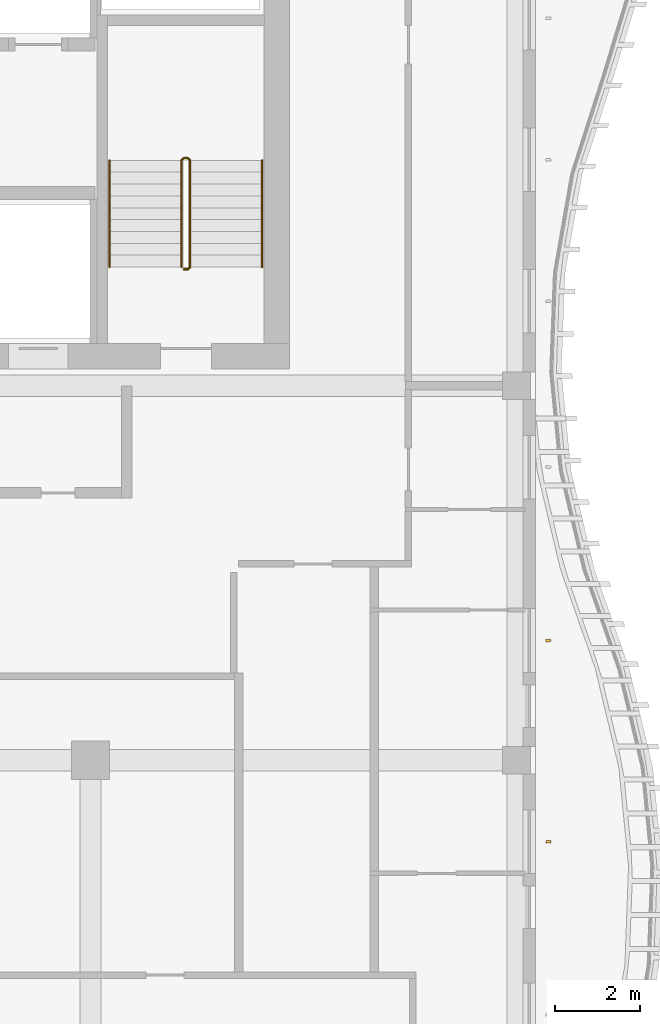
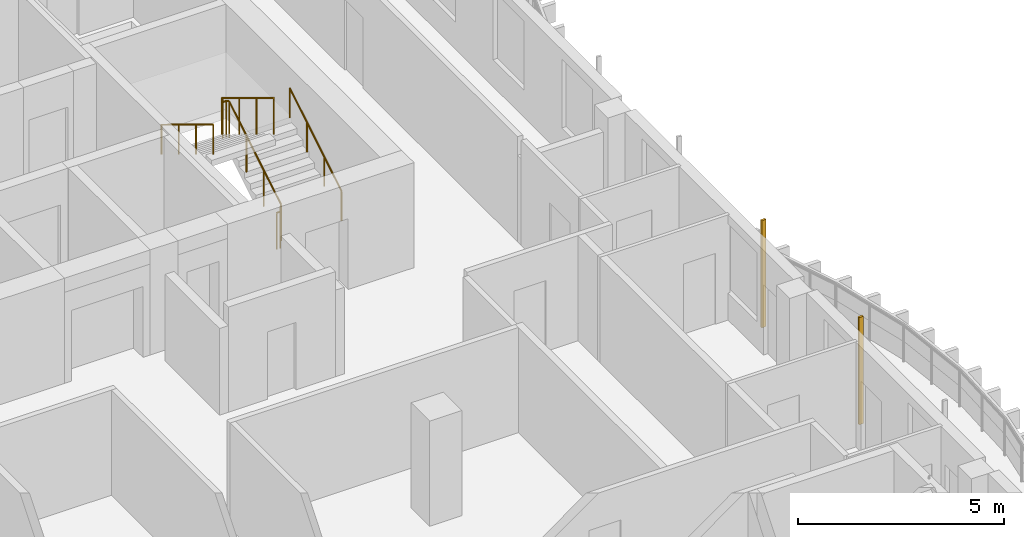
# One storey, part 16 of 18: 3 railings, 2 shading devices.
"""IFC4 building model written with IfcOpenShell, lengths in metres."""

from ifc_helpers import new_model, si_unit, direction, frame, origin, origin_2d, place, context, subcontext, project, spatial, rectangle, circle, extrude, source, transform, mapped, material, material_profile, profile_set, type_object, element, save


model = new_model("IFC4")

# Units and contexts
model_context = context("Model", 3, precision=1e-05, world=origin(), true_north=direction((0.0, 1.0)))
body_context = subcontext(model_context, "Body", "Model", "MODEL_VIEW")
ifc_project = project(units=[si_unit("LENGTHUNIT", "METRE"), si_unit("AREAUNIT", "SQUARE_METRE"), si_unit("VOLUMEUNIT", "CUBIC_METRE"), si_unit("PLANEANGLEUNIT", "RADIAN"), si_unit("MASSUNIT", "GRAM", prefix="KILO")], contexts=[model_context])

# Site, building, storey
site_placement = place(None, origin())
site = spatial("IfcSite", under=ifc_project, at=site_placement, CompositionType="ELEMENT")
building_placement = place(site_placement, origin())
building = spatial("IfcBuilding", under=site, at=building_placement, Name="Kilnfold Tower and Market Hall", CompositionType="ELEMENT")
storey_placement = place(building_placement, frame((0.0, 0.0, 270.39990234375)))
storey = spatial("IfcBuildingStorey", under=building, at=storey_placement, Name="L66", CompositionType="ELEMENT", Elevation=270.39990234375)

# Railings
ifc_material_1 = material(Name="Stainless steel 316", Category="steel")
railing_type_1 = type_object("IfcRailingType", Name="CORE STAIR GUARD 1100", PredefinedType="GUARDRAIL", material=ifc_material_1)
railing_1_placement = place(storey_placement, frame((15.199951171875, 10.75, 0.0)))
element("IfcRailing", 1, at=railing_1_placement, inside=storey, type_object=railing_type_1, Name="L66 ST2 stair guard 1", PredefinedType="GUARDRAIL", context=body_context, shape_type="SweptSolid", body=[
    extrude(circle(Radius=0.02392578125, at=origin_2d()), frame((0.0, 0.0, 1.076171875), z_axis=(1.0, 0.0, 0.0), x_axis=(0.0, 1.0, 0.0)), (0.0, 0.0, 1.0), 0.10009765625),
    extrude(circle(Radius=0.02392578125, at=origin_2d()), frame((0.10009765625, 0.0, 1.076171875), z_axis=(0.271562723297, 0.271562723297, 0.923313259209), x_axis=(-0.707106781187, 0.707106781187, 0.0)), (0.0, 0.0, 1.0), 0.184326171875),
    extrude(circle(Radius=0.02392578125, at=origin_2d()), frame((0.150146484375, 0.050048828125, 1.24609375), z_axis=(0.0, 0.85478489116, 0.518982456201), x_axis=(-1.0, 0.0, 0.0)), (0.0, 0.0, 1.0), 2.9482421875),
    extrude(circle(Radius=0.02392578125, at=origin_2d()), frame((0.150146484375, 2.570068359375, 2.7763671875), z_axis=(-0.707106781187, 0.707106781187, 0.0), x_axis=(-0.707106781187, -0.707106781187, 0.0)), (0.0, 0.0, 1.0), 0.07080078125),
    extrude(circle(Radius=0.02392578125, at=origin_2d()), frame((0.10009765625, 2.6201171875, 2.7763671875), z_axis=(-1.0, 0.0, 0.0), x_axis=(0.0, -1.0, 0.0)), (0.0, 0.0, 1.0), 0.10009765625),
    extrude(circle(Radius=0.02392578125, at=origin_2d()), frame((0.0, 2.6201171875, 2.7763671875), z_axis=(-0.271895245746, -0.271895245746, 0.923117517265), x_axis=(0.707106781187, -0.707106781187, 0.0)), (0.0, 0.0, 1.0), 0.18408203125),
    extrude(circle(Radius=0.02392578125, at=origin_2d()), frame((-0.050048828125, 2.570068359375, 2.9462890625), z_axis=(0.0, -0.85478489116, 0.518982456201), x_axis=(1.0, 0.0, 0.0)), (0.0, 0.0, 1.0), 2.9482421875),
    extrude(circle(Radius=0.02099609375, at=origin_2d()), origin(), (0.0, 0.0, 1.0), 1.052001953125),
    extrude(circle(Radius=0.02099609375, at=origin_2d()), frame((0.10009765625, 0.0, 0.0)), (0.0, 0.0, 1.0), 1.052001953125),
    extrude(circle(Radius=0.02099609375, at=origin_2d()), frame((0.150146484375, 0.050048828125, 0.170166015625)), (0.0, 0.0, 1.0), 1.052001953125),
    extrude(circle(Radius=0.02099609375, at=origin_2d()), frame((0.150146484375, 0.89013671875, 0.68017578125)), (0.0, 0.0, 1.0), 1.052001953125),
    extrude(circle(Radius=0.02099609375, at=origin_2d()), frame((0.150146484375, 1.72998046875, 1.190185546875)), (0.0, 0.0, 1.0), 1.052001953125),
    extrude(circle(Radius=0.02099609375, at=origin_2d()), frame((0.150146484375, 2.570068359375, 1.7001953125)), (0.0, 0.0, 1.0), 1.052001953125),
    extrude(circle(Radius=0.02099609375, at=origin_2d()), frame((0.10009765625, 2.6201171875, 1.7001953125)), (0.0, 0.0, 1.0), 1.052001953125),
    extrude(circle(Radius=0.02099609375, at=origin_2d()), frame((0.0, 2.6201171875, 1.7001953125)), (0.0, 0.0, 1.0), 1.052001953125),
    extrude(circle(Radius=0.02099609375, at=origin_2d()), frame((-0.050048828125, 2.570068359375, 1.8701171875)), (0.0, 0.0, 1.0), 1.052001953125),
    extrude(circle(Radius=0.02099609375, at=origin_2d()), frame((-0.050048828125, 1.72998046875, 2.380126953125)), (0.0, 0.0, 1.0), 1.052001953125),
    extrude(circle(Radius=0.02099609375, at=origin_2d()), frame((-0.050048828125, 0.89013671875, 2.89013671875)), (0.0, 0.0, 1.0), 1.052001953125),
    extrude(circle(Radius=0.02099609375, at=origin_2d()), frame((-0.050048828125, 0.050048828125, 3.400146484375)), (0.0, 0.0, 1.0), 1.052001953125),
])
ifc_material_2 = material(Name="Stainless steel 316", Category="steel")
railing_type_2 = type_object("IfcRailingType", Name="CORE STAIR HANDRAIL 900", PredefinedType="HANDRAIL", material=ifc_material_2)
railing_2_placement = place(storey_placement, frame((17.050048828125, 10.800048828125, 0.170166015625)))
element("IfcRailing", 2, at=railing_2_placement, inside=storey, type_object=railing_type_2, Name="L66 ST2 stair handrail 1", PredefinedType="HANDRAIL", context=body_context, shape_type="SweptSolid", body=[
    extrude(circle(Radius=0.02392578125, at=origin_2d()), frame((0.0, 0.0, 0.8759765625), z_axis=(0.0, 0.85478489116, 0.518982456201), x_axis=(-1.0, 0.0, 0.0)), (0.0, 0.0, 1.0), 2.9482421875),
    extrude(circle(Radius=0.02099609375, at=origin_2d()), origin(), (0.0, 0.0, 1.0), 0.851806640625),
    extrude(circle(Radius=0.02099609375, at=origin_2d()), frame((0.0, 0.840087890625, 0.510009765625)), (0.0, 0.0, 1.0), 0.851806640625),
    extrude(circle(Radius=0.02099609375, at=origin_2d()), frame((0.0, 1.679931640625, 1.02001953125)), (0.0, 0.0, 1.0), 0.851806640625),
    extrude(circle(Radius=0.02099609375, at=origin_2d()), frame((0.0, 2.52001953125, 1.530029296875)), (0.0, 0.0, 1.0), 0.851806640625),
])
railing_3_placement = place(storey_placement, frame((13.449951171875, 13.320068359375, 1.8701171875)))
element("IfcRailing", 3, at=railing_3_placement, inside=storey, type_object=railing_type_2, Name="L66 ST2 stair handrail 2", PredefinedType="HANDRAIL", context=body_context, shape_type="SweptSolid", body=[
    extrude(circle(Radius=0.02392578125, at=origin_2d()), frame((0.0, 0.0, 0.8759765625), z_axis=(0.0, -0.85478489116, 0.518982456201), x_axis=(1.0, 0.0, 0.0)), (0.0, 0.0, 1.0), 2.9482421875),
    extrude(circle(Radius=0.02099609375, at=origin_2d()), origin(), (0.0, 0.0, 1.0), 0.851806640625),
    extrude(circle(Radius=0.02099609375, at=origin_2d()), frame((0.0, -0.840087890625, 0.510009765625)), (0.0, 0.0, 1.0), 0.851806640625),
    extrude(circle(Radius=0.02099609375, at=origin_2d()), frame((0.0, -1.679931640625, 1.02001953125)), (0.0, 0.0, 1.0), 0.851806640625),
    extrude(circle(Radius=0.02099609375, at=origin_2d()), frame((0.0, -2.52001953125, 1.530029296875)), (0.0, 0.0, 1.0), 0.851806640625),
])

# Shading devices
ifc_material_3 = material(Name="Terracotta", Category="masonry")
ifc_material_profile = material_profile(ifc_material_3, rectangle(XDim=0.06005859375, YDim=0.1201171875, at=origin_2d()), Name="BAG 60x120")
ifc_profile_set = profile_set([ifc_material_profile], Name="Terracotta")
shading_device_type = type_object("IfcShadingDeviceType", Name="BAGUETTE", PredefinedType="USERDEFINED", material=ifc_profile_set)
shared_shape = source(origin(), body_context, "Body", "SweptSolid", [
    extrude(rectangle(XDim=0.06005859375, YDim=0.1201171875, at=origin_2d()), origin(), (0.0, 0.0, 1.0), 3.18017578125),
])
for number, where, z_axis, x_axis, name in (
    (4, (23.800048828125, -2.75, 0.0), (0.0, 0.0, 1.0), (0.006530975632, 0.999978672951, 0.0), "Terracotta baguette L66 E"),
    (5, (23.800048828125, 1.99169921875, 0.0), (0.0, 0.0, 1.0), (-0.121524604415, 0.992588419498, 0.0), "Terracotta baguette L66 E"),
):
    element("IfcShadingDevice", number, at=place(storey_placement, frame(where, z_axis=z_axis, x_axis=x_axis)), inside=storey, type_object=shading_device_type, Name=name, ObjectType="BAGUETTE", PredefinedType="USERDEFINED", context=body_context, shape_type="MappedRepresentation", body=[
        mapped(shared_shape, transform((0.0, 0.0, 0.0))),
    ])

save(model, "model.ifc")
